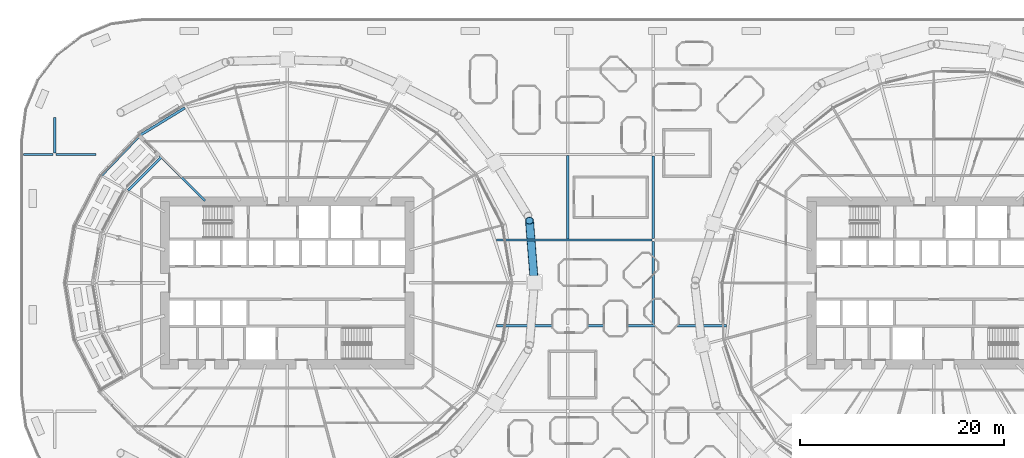
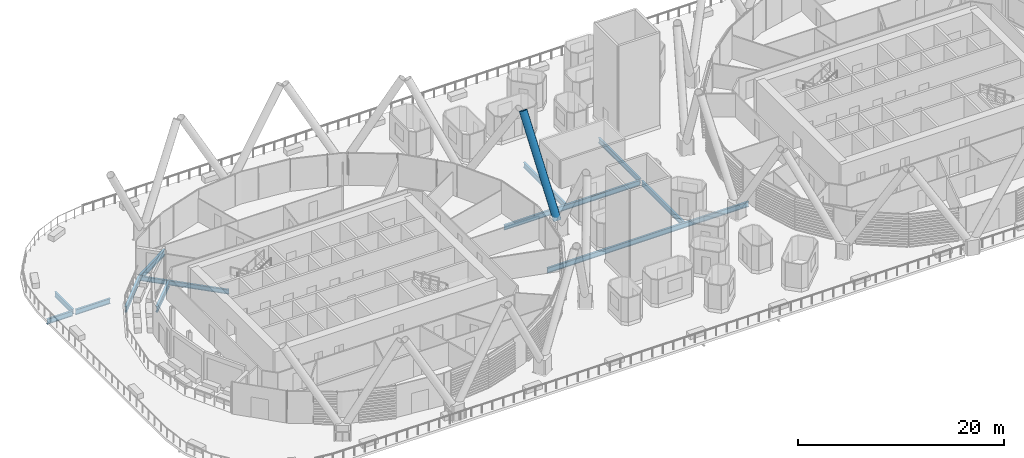
# One storey, part 9 of 47: 12 beams, 1 member.
"""IFC4 building model written with IfcOpenShell, lengths in metres."""

from ifc_helpers import new_model, si_unit, direction, frame, origin, origin_2d, place, context, subcontext, project, spatial, hollow_circle, i_section, extrude, material, material_profile, profile_set, type_object, element, save


model = new_model("IFC4")

# Units and contexts
model_context = context("Model", 3, precision=1e-05, world=origin(), true_north=direction((0.0, 1.0)))
body_context = subcontext(model_context, "Body", "Model", "MODEL_VIEW")
ifc_project = project(units=[si_unit("LENGTHUNIT", "METRE"), si_unit("AREAUNIT", "SQUARE_METRE"), si_unit("VOLUMEUNIT", "CUBIC_METRE"), si_unit("PLANEANGLEUNIT", "RADIAN"), si_unit("MASSUNIT", "GRAM", prefix="KILO")], contexts=[model_context])

# Site, building, storey
site_placement = place(None, origin())
site = spatial("IfcSite", under=ifc_project, at=site_placement, CompositionType="ELEMENT")
building_placement = place(site_placement, origin())
building = spatial("IfcBuilding", under=site, at=building_placement, Name="Rimbun Link Towers", CompositionType="ELEMENT")
storey_placement = place(building_placement, frame((0.0, 0.0, 30.0)))
storey = spatial("IfcBuildingStorey", under=building, at=storey_placement, Name="L06", CompositionType="ELEMENT", Elevation=30.0)

# Member
ifc_material_1 = material(Name="Steel S460NH", Category="steel")
ifc_material_profile_1 = material_profile(ifc_material_1, hollow_circle(Radius=0.406494140625, WallThickness=0.0400390625, at=origin_2d()), Name="Diagrid diagonal CHS 813x40")
ifc_profile_set_1 = profile_set([ifc_material_profile_1], Name="Steel S460NH")
member_type = type_object("IfcMemberType", Name="Diagrid diagonal CHS 813x40", PredefinedType="BRACE", material=ifc_profile_set_1)
member_placement = place(storey_placement, frame((-7.507568359375, 0.259033203125, 1.3271484375), z_axis=(-0.040588951121, 0.518098391003, 0.854357416008), x_axis=(-0.996945306323, -0.078102856545, 0.0)))
element("IfcMember", 1, at=member_placement, inside=storey, type_object=member_type, Name="Diagrid diagonal T1 L06-L09 00b", PredefinedType="BRACE", context=body_context, shape_type="SweptSolid", body=[
    extrude(hollow_circle(Radius=0.406494140625, WallThickness=0.0400390625, at=origin_2d()), origin(), (0.0, 0.0, 1.0), 11.2900390625),
])

# Beams
ifc_material_2 = material(Name="Steel S355J2", Category="steel")
ifc_material_profile_2 = material_profile(ifc_material_2, i_section(OverallWidth=0.209228515625, OverallDepth=0.533203125, WebThickness=0.010009765625, FlangeThickness=0.015625, at=origin_2d()), Name="UB 533x210x92")
ifc_profile_set_2 = profile_set([ifc_material_profile_2], Name="Steel S355J2")
beam_type_1 = type_object("IfcBeamType", Name="UB 533x210x92", PredefinedType="BEAM", material=ifc_profile_set_2)
beam_1_placement = place(storey_placement, frame((-39.82470703125, 8.07470703125, -0.56640625), z_axis=(-0.707106781187, 0.707106781187, 0.0), x_axis=(-0.707106781187, -0.707106781187, 0.0)))
element("IfcBeam", 2, at=beam_1_placement, inside=storey, type_object=beam_type_1, Name="Radial beam T1 L06 09", PredefinedType="BEAM", context=body_context, shape_type="SweptSolid", body=[
    extrude(i_section(OverallWidth=0.209228515625, OverallDepth=0.533203125, WebThickness=0.010009765625, FlangeThickness=0.015625, at=origin_2d()), origin(), (0.0, 0.0, 1.0), 8.9287109375),
])
ifc_material_3 = material(Name="Steel S355J2", Category="steel")
ifc_material_profile_3 = material_profile(ifc_material_3, i_section(OverallWidth=0.2275390625, OverallDepth=0.6025390625, WebThickness=0.010498046875, FlangeThickness=0.014892578125, at=origin_2d()), Name="UB 610x229x101")
ifc_profile_set_3 = profile_set([ifc_material_profile_3], Name="Steel S355J2")
beam_type_2 = type_object("IfcBeamType", Name="UB 610x229x101", PredefinedType="BEAM", material=ifc_profile_set_3)
beam_2_placement = place(storey_placement, frame((-11.21142578125, -4.199951171875, -0.601318359375), z_axis=(1.0, 0.0, 0.0), x_axis=(0.0, 1.0, 0.0)))
element("IfcBeam", 3, at=beam_2_placement, inside=storey, type_object=beam_type_2, Name="Grid beam L06 -4.2", PredefinedType="BEAM", context=body_context, shape_type="SweptSolid", body=[
    extrude(i_section(OverallWidth=0.2275390625, OverallDepth=0.6025390625, WebThickness=0.010498046875, FlangeThickness=0.014892578125, at=origin_2d()), origin(), (0.0, 0.0, 1.0), 22.586181640625),
])
beam_3_placement = place(storey_placement, frame((-11.21142578125, 4.199951171875, -0.601318359375), z_axis=(1.0, 0.0, 0.0), x_axis=(0.0, 1.0, 0.0)))
element("IfcBeam", 4, at=beam_3_placement, inside=storey, type_object=beam_type_2, Name="Grid beam L06 +4.2", PredefinedType="BEAM", context=body_context, shape_type="SweptSolid", body=[
    extrude(i_section(OverallWidth=0.2275390625, OverallDepth=0.6025390625, WebThickness=0.010498046875, FlangeThickness=0.014892578125, at=origin_2d()), origin(), (0.0, 0.0, 1.0), 15.2578125),
])
beam_4_placement = place(storey_placement, frame((-57.649169921875, 12.60009765625, -0.601318359375), z_axis=(1.0, 0.0, 0.0), x_axis=(0.0, 1.0, 0.0)))
element("IfcBeam", 5, at=beam_4_placement, inside=storey, type_object=beam_type_2, Name="Grid beam L06 +12.6", PredefinedType="BEAM", context=body_context, shape_type="SweptSolid", body=[
    extrude(i_section(OverallWidth=0.2275390625, OverallDepth=0.6025390625, WebThickness=0.010498046875, FlangeThickness=0.014892578125, at=origin_2d()), origin(), (0.0, 0.0, 1.0), 2.8955078125),
])
beam_5_placement = place(storey_placement, frame((-54.4462890625, 12.60009765625, -0.601318359375), z_axis=(1.0, 0.0, 0.0), x_axis=(0.0, 1.0, 0.0)))
element("IfcBeam", 6, at=beam_5_placement, inside=storey, type_object=beam_type_2, Name="Grid beam L06 +12.6", PredefinedType="BEAM", context=body_context, shape_type="SweptSolid", body=[
    extrude(i_section(OverallWidth=0.2275390625, OverallDepth=0.6025390625, WebThickness=0.010498046875, FlangeThickness=0.014892578125, at=origin_2d()), origin(), (0.0, 0.0, 1.0), 3.89990234375),
])
beam_6_placement = place(storey_placement, frame((-54.60009765625, 12.75732421875, -0.601318359375), z_axis=(0.0, 1.0, 0.0), x_axis=(-1.0, 0.0, 0.0)))
element("IfcBeam", 7, at=beam_6_placement, inside=storey, type_object=beam_type_2, Name="Grid beam L06 -54.6", PredefinedType="BEAM", context=body_context, shape_type="SweptSolid", body=[
    extrude(i_section(OverallWidth=0.2275390625, OverallDepth=0.6025390625, WebThickness=0.010498046875, FlangeThickness=0.014892578125, at=origin_2d()), origin(), (0.0, 0.0, 1.0), 3.499755859375),
])
beam_7_placement = place(storey_placement, frame((-4.199951171875, 4.313720703125, -0.601318359375), z_axis=(0.0, 1.0, 0.0), x_axis=(-1.0, 0.0, 0.0)))
element("IfcBeam", 8, at=beam_7_placement, inside=storey, type_object=beam_type_2, Name="Grid beam L06 -4.2", PredefinedType="BEAM", context=body_context, shape_type="SweptSolid", body=[
    extrude(i_section(OverallWidth=0.2275390625, OverallDepth=0.6025390625, WebThickness=0.010498046875, FlangeThickness=0.014892578125, at=origin_2d()), origin(), (0.0, 0.0, 1.0), 8.17236328125),
])
beam_8_placement = place(storey_placement, frame((4.199951171875, -4.086181640625, -0.601318359375), z_axis=(0.0, 1.0, 0.0), x_axis=(-1.0, 0.0, 0.0)))
element("IfcBeam", 9, at=beam_8_placement, inside=storey, type_object=beam_type_2, Name="Grid beam L06 +4.2", PredefinedType="BEAM", context=body_context, shape_type="SweptSolid", body=[
    extrude(i_section(OverallWidth=0.2275390625, OverallDepth=0.6025390625, WebThickness=0.010498046875, FlangeThickness=0.014892578125, at=origin_2d()), origin(), (0.0, 0.0, 1.0), 8.12890625),
])
beam_9_placement = place(storey_placement, frame((4.199951171875, 4.357421875, -0.601318359375), z_axis=(0.0, 1.0, 0.0), x_axis=(-1.0, 0.0, 0.0)))
element("IfcBeam", 10, at=beam_9_placement, inside=storey, type_object=beam_type_2, Name="Grid beam L06 +4.2", PredefinedType="BEAM", context=body_context, shape_type="SweptSolid", body=[
    extrude(i_section(OverallWidth=0.2275390625, OverallDepth=0.6025390625, WebThickness=0.010498046875, FlangeThickness=0.014892578125, at=origin_2d()), origin(), (0.0, 0.0, 1.0), 8.08544921875),
])
ifc_material_4 = material(Name="Steel S355J2", Category="steel")
ifc_material_profile_4 = material_profile(ifc_material_4, i_section(OverallWidth=0.253662109375, OverallDepth=0.68359375, WebThickness=0.012451171875, FlangeThickness=0.01904296875, at=origin_2d()), Name="UB 686x254x140")
ifc_profile_set_4 = profile_set([ifc_material_profile_4], Name="Steel S355J2")
beam_type_3 = type_object("IfcBeamType", Name="UB 686x254x140", PredefinedType="BEAM", material=ifc_profile_set_4)
beam_10_placement = place(storey_placement, frame((-41.8203125, 17.179931640625, -0.641845703125), z_axis=(-0.852707458773, -0.522388734328, 0.0), x_axis=(0.522388734328, -0.852707458773, 0.0)))
element("IfcBeam", 11, at=beam_10_placement, inside=storey, type_object=beam_type_3, Name="Edge beam T1 L06 08", PredefinedType="BEAM", context=body_context, shape_type="SweptSolid", body=[
    extrude(i_section(OverallWidth=0.253662109375, OverallDepth=0.68359375, WebThickness=0.012451171875, FlangeThickness=0.01904296875, at=origin_2d()), origin(), (0.0, 0.0, 1.0), 5.153076171875),
])
beam_11_placement = place(storey_placement, frame((-44.146484375, 12.3173828125, -0.641845703125), z_axis=(-0.70622531942, -0.707987145512, 0.0), x_axis=(0.707987145512, -0.70622531942, 0.0)))
element("IfcBeam", 12, at=beam_11_placement, inside=storey, type_object=beam_type_3, Name="Edge beam T1 L06 09 recess", PredefinedType="BEAM", context=body_context, shape_type="SweptSolid", body=[
    extrude(i_section(OverallWidth=0.253662109375, OverallDepth=0.68359375, WebThickness=0.012451171875, FlangeThickness=0.01904296875, at=origin_2d()), origin(), (0.0, 0.0, 1.0), 4.572998046875),
])
beam_12_placement = place(storey_placement, frame((-46.240966796875, 14.466552734375, -0.641845703125), z_axis=(-0.692988130851, -0.720948992995, 0.0), x_axis=(0.720948992995, -0.692988130851, 0.0)))
element("IfcBeam", 13, at=beam_12_placement, inside=storey, type_object=beam_type_3, Name="Edge beam T1 L06 09 terrace", PredefinedType="BEAM", context=body_context, shape_type="SweptSolid", body=[
    extrude(i_section(OverallWidth=0.253662109375, OverallDepth=0.68359375, WebThickness=0.012451171875, FlangeThickness=0.01904296875, at=origin_2d()), origin(), (0.0, 0.0, 1.0), 5.42236328125),
])

save(model, "model.ifc")
